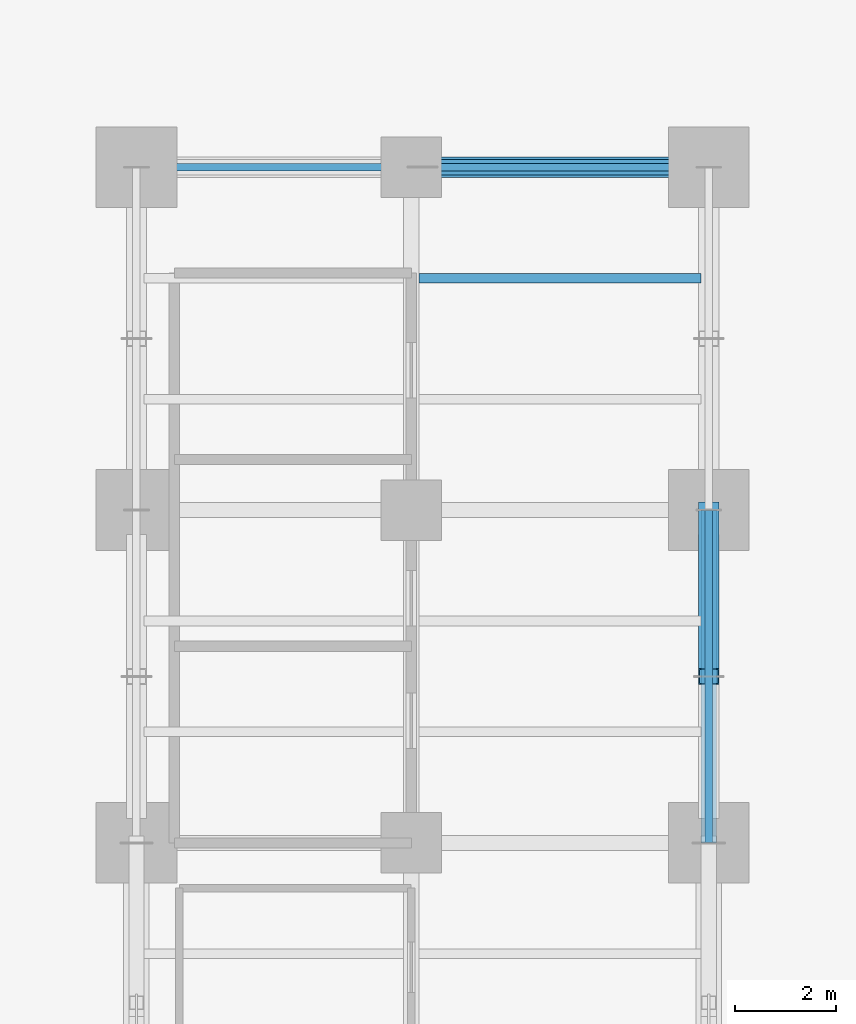
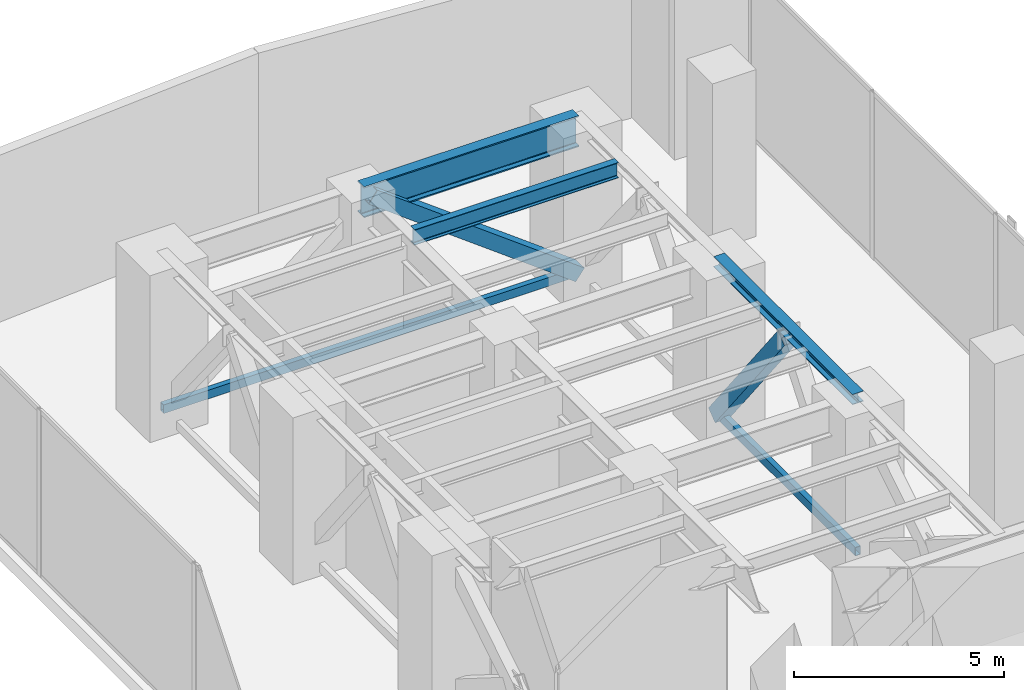
# One storey, part 25 of 36: 4 members, 3 beams.
"""IFC4 building model written with IfcOpenShell, lengths in metres."""

from ifc_helpers import new_model, si_unit, direction, frame, origin, origin_2d, place, context, subcontext, project, spatial, hollow_rectangle, i_section, extrude, material, material_profile, profile_set, type_object, element, save


model = new_model("IFC4")

# Units and contexts
model_context = context("Model", 3, precision=1e-05, world=origin(), true_north=direction((0.0, 1.0)))
body_context = subcontext(model_context, "Body", "Model", "MODEL_VIEW")
ifc_project = project(units=[si_unit("LENGTHUNIT", "METRE"), si_unit("AREAUNIT", "SQUARE_METRE"), si_unit("VOLUMEUNIT", "CUBIC_METRE"), si_unit("PLANEANGLEUNIT", "RADIAN"), si_unit("MASSUNIT", "GRAM", prefix="KILO")], contexts=[model_context])

# Site, building, storey
site_placement = place(None, origin())
site = spatial("IfcSite", under=ifc_project, at=site_placement, CompositionType="ELEMENT")
building_placement = place(site_placement, origin())
building = spatial("IfcBuilding", under=site, at=building_placement, Name="Kolvaren Waterfront Exchange", CompositionType="ELEMENT")
storey_placement = place(building_placement, frame((0.0, 0.0, 82.800048828125)))
storey = spatial("IfcBuildingStorey", under=building, at=storey_placement, Name="L21", CompositionType="ELEMENT", Elevation=82.800048828125)

# Beams
ifc_material_1 = material(Name="Steel S355", Category="steel")
ifc_material_profile_1 = material_profile(ifc_material_1, i_section(OverallWidth=0.300048828125, OverallDepth=0.300048828125, WebThickness=0.010986328125, FlangeThickness=0.01904296875, FilletRadius=0.027099609375, at=origin_2d()), Name="HEB300")
ifc_profile_set_1 = profile_set([ifc_material_profile_1], Name="Steel S355")
beam_type_1 = type_object("IfcBeamType", Name="STR-BM-HEB300", PredefinedType="SPANDREL", material=ifc_profile_set_1)
beam_1_placement = place(storey_placement, frame((18.800048828125, 31.199951171875, 4.68994140625), z_axis=(0.0, 1.0, 0.0), x_axis=(-1.0, 0.0, 0.0)))
element("IfcBeam", 1, at=beam_1_placement, inside=storey, type_object=beam_type_1, Name="L21 north-arm edge beam 2", PredefinedType="SPANDREL", context=body_context, shape_type="SweptSolid", body=[
    extrude(i_section(OverallWidth=0.300048828125, OverallDepth=0.300048828125, WebThickness=0.010986328125, FlangeThickness=0.01904296875, FilletRadius=0.027099609375, at=origin_2d()), origin(), (0.0, 0.0, 1.0), 6.60009765625),
])
ifc_material_profile_2 = material_profile(ifc_material_1, i_section(OverallWidth=0.300048828125, OverallDepth=0.89990234375, WebThickness=0.0185546875, FlangeThickness=0.034912109375, FilletRadius=0.030029296875, at=origin_2d()), Name="HEB900")
ifc_profile_set_2 = profile_set([ifc_material_profile_2], Name="Steel S355")
beam_type_2 = type_object("IfcBeamType", Name="STR-BM-HEB900", PredefinedType="BEAM", material=ifc_profile_set_2)
beam_2_placement = place(storey_placement, frame((12.89990234375, 44.60009765625, 4.389892578125), z_axis=(1.0, 0.0, 0.0), x_axis=(0.0, 1.0, 0.0)))
element("IfcBeam", 2, at=beam_2_placement, inside=storey, type_object=beam_type_2, Name="L21 north-arm girder 4B", PredefinedType="BEAM", context=body_context, shape_type="SweptSolid", body=[
    extrude(i_section(OverallWidth=0.300048828125, OverallDepth=0.89990234375, WebThickness=0.0185546875, FlangeThickness=0.034912109375, FilletRadius=0.030029296875, at=origin_2d()), origin(), (0.0, 0.0, 1.0), 5.900146484375),
])
ifc_material_profile_3 = material_profile(ifc_material_1, i_section(OverallWidth=0.18994140625, OverallDepth=0.449951171875, WebThickness=0.009521484375, FlangeThickness=0.0146484375, FilletRadius=0.02099609375, at=origin_2d()), Name="IPE450")
ifc_profile_set_3 = profile_set([ifc_material_profile_3], Name="Steel S355")
beam_type_3 = type_object("IfcBeamType", Name="STR-BM-IPE450", PredefinedType="JOIST", material=ifc_profile_set_3)
beam_3_placement = place(storey_placement, frame((13.052001953125, 42.39990234375, 4.614990234375), z_axis=(1.0, 0.0, 0.0), x_axis=(0.0, 1.0, 0.0)))
element("IfcBeam", 3, at=beam_3_placement, inside=storey, type_object=beam_type_3, Name="L21 north-arm composite joist 6B", PredefinedType="JOIST", context=body_context, shape_type="SweptSolid", body=[
    extrude(i_section(OverallWidth=0.18994140625, OverallDepth=0.449951171875, WebThickness=0.009521484375, FlangeThickness=0.0146484375, FilletRadius=0.02099609375, at=origin_2d()), origin(), (0.0, 0.0, 1.0), 5.595947265625),
])

# Members
ifc_material_2 = material(Name="Steel S460", Category="steel")
ifc_material_profile_4 = material_profile(ifc_material_2, hollow_rectangle(XDim=0.14990234375, YDim=0.25, WallThickness=0.010009765625, at=origin_2d()), Name="RHS250x150x10")
ifc_profile_set_4 = profile_set([ifc_material_profile_4], Name="Steel S460")
member_type_1 = type_object("IfcMemberType", Name="STR-BR-RHS250", PredefinedType="CHORD", material=ifc_profile_set_4)
member_1_placement = place(storey_placement, frame((18.800048828125, 31.199951171875, 0.25), z_axis=(0.0, 1.0, 0.0), x_axis=(-1.0, 0.0, 0.0)))
element("IfcMember", 4, at=member_1_placement, inside=storey, type_object=member_type_1, Name="L21 belt-truss bottom chord BT6", PredefinedType="CHORD", context=body_context, shape_type="SweptSolid", body=[
    extrude(hollow_rectangle(XDim=0.14990234375, YDim=0.25, WallThickness=0.010009765625, at=origin_2d()), origin(), (0.0, 0.0, 1.0), 6.60009765625),
])
member_2_placement = place(storey_placement, frame((7.449951171875, 44.60009765625, 0.25), z_axis=(1.0, 0.0, 0.0), x_axis=(0.0, 1.0, 0.0)))
element("IfcMember", 5, at=member_2_placement, inside=storey, type_object=member_type_1, Name="L21 belt-truss bottom chord BT8", PredefinedType="CHORD", context=body_context, shape_type="SweptSolid", body=[
    extrude(hollow_rectangle(XDim=0.14990234375, YDim=0.25, WallThickness=0.010009765625, at=origin_2d()), origin(), (0.0, 0.0, 1.0), 11.35009765625),
])
ifc_material_profile_5 = material_profile(ifc_material_2, hollow_rectangle(XDim=0.39990234375, YDim=0.39990234375, WallThickness=0.02001953125, at=origin_2d()), Name="SHS400x400x20")
ifc_profile_set_5 = profile_set([ifc_material_profile_5], Name="Steel S460")
member_type_2 = type_object("IfcMemberType", Name="STR-BR-SHS400", PredefinedType="BRACE", material=ifc_profile_set_5)
member_3_placement = place(storey_placement, frame((18.800048828125, 37.800048828125, 0.25), z_axis=(0.0, -0.614204826898, 0.789146647091), x_axis=(1.0, 0.0, 0.0)))
element("IfcMember", 6, at=member_3_placement, inside=storey, type_object=member_type_2, Name="L21 belt-truss chevron brace BT6R", PredefinedType="BRACE", context=body_context, shape_type="SweptSolid", body=[
    extrude(hollow_rectangle(XDim=0.39990234375, YDim=0.39990234375, WallThickness=0.02001953125, at=origin_2d()), origin(), (0.0, 0.0, 1.0), 5.372802734375),
])
member_4_placement = place(storey_placement, frame((18.800048828125, 44.60009765625, 0.25), z_axis=(-0.801102854128, 0.0, 0.598526705426), x_axis=(0.0, -1.0, 0.0)))
element("IfcMember", 7, at=member_4_placement, inside=storey, type_object=member_type_2, Name="L21 belt-truss chevron brace BT8R", PredefinedType="BRACE", context=body_context, shape_type="SweptSolid", body=[
    extrude(hollow_rectangle(XDim=0.39990234375, YDim=0.39990234375, WallThickness=0.02001953125, at=origin_2d()), origin(), (0.0, 0.0, 1.0), 7.083984375),
])

save(model, "model.ifc")
